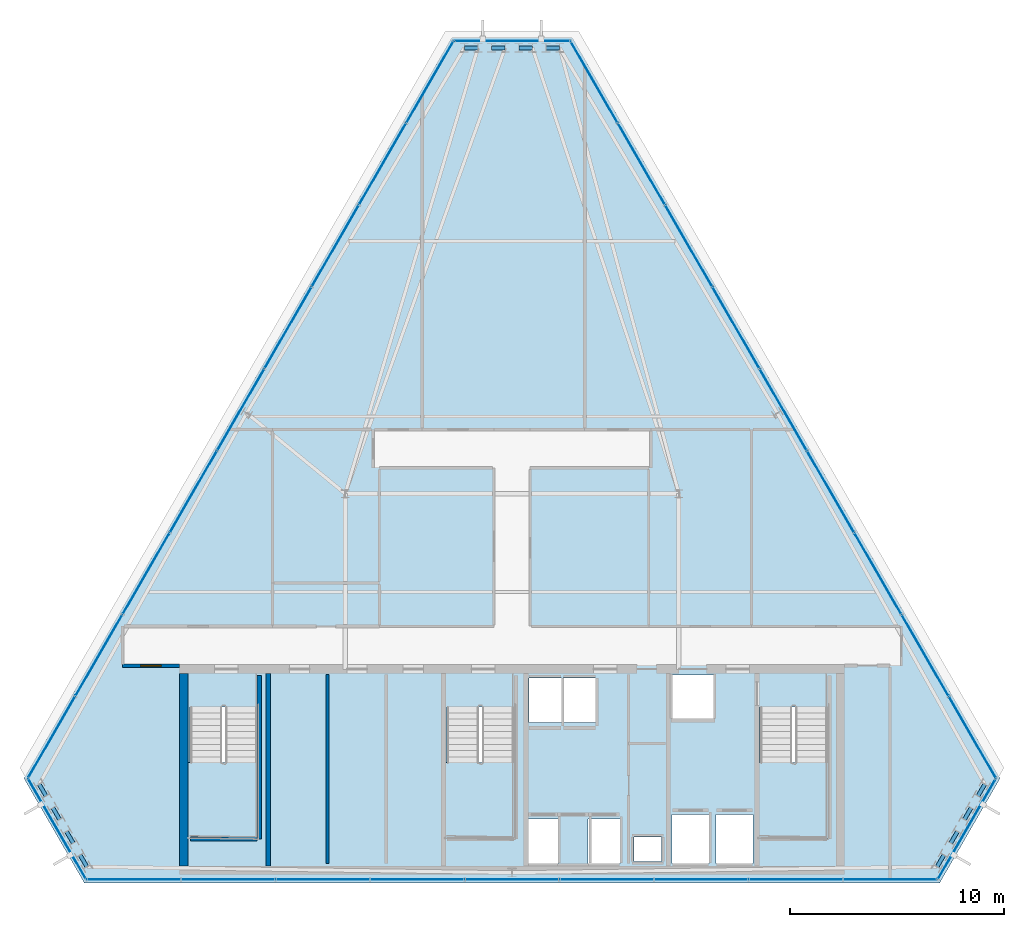
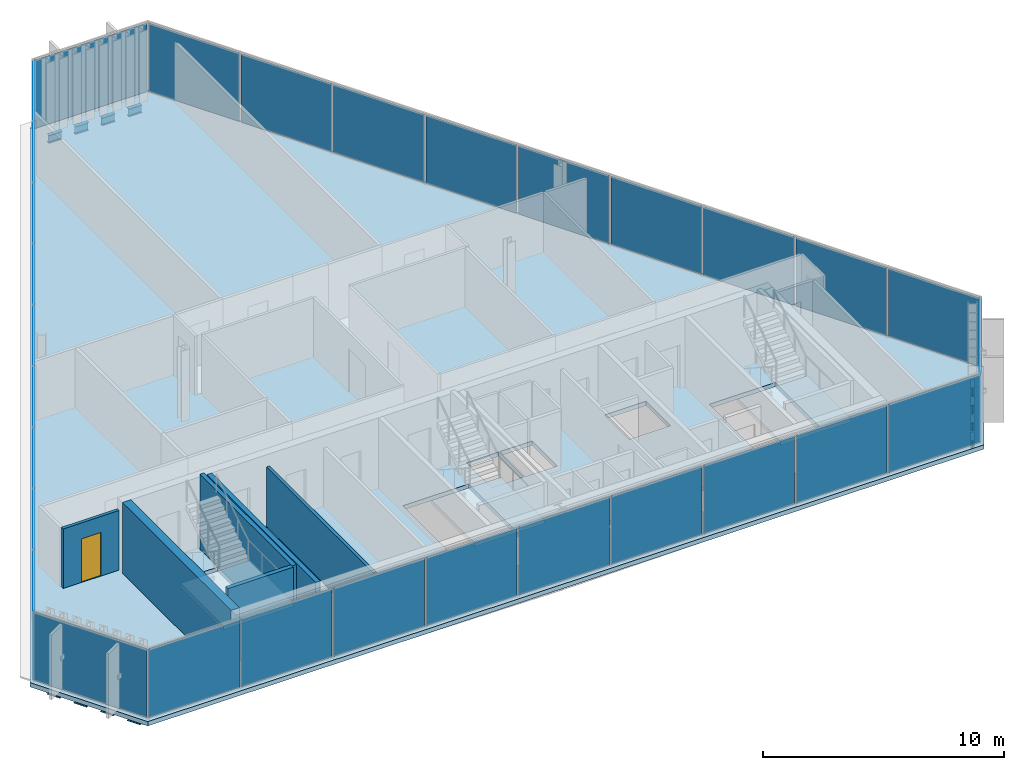
# One storey, part 28 of 34: 30 plates, 12 beams, 6 walls, 4 slabs, 1 door, 1 opening, 9 elements without a shape of their own.
"""IFC4 building model written with IfcOpenShell, lengths in metres."""

from ifc_helpers import new_model, si_unit, direction, frame, frame_2d, origin, origin_2d, place, context, subcontext, project, spatial, polyline, rectangle, i_section, outline, extrude, material, layer, layer_set, material_profile, profile_set, type_object, element, fill, aggregate, save


model = new_model("IFC4")

# Units and contexts
model_context = context("Model", 3, precision=1e-05, world=origin(), true_north=direction((0.0, 1.0)))
body_context = subcontext(model_context, "Body", "Model", "MODEL_VIEW")
ifc_project = project(units=[si_unit("LENGTHUNIT", "METRE"), si_unit("AREAUNIT", "SQUARE_METRE"), si_unit("VOLUMEUNIT", "CUBIC_METRE"), si_unit("PLANEANGLEUNIT", "RADIAN"), si_unit("MASSUNIT", "GRAM", prefix="KILO")], contexts=[model_context])

# Site, building, storey
site_placement = place(None, origin())
site = spatial("IfcSite", under=ifc_project, at=site_placement, CompositionType="ELEMENT")
building_placement = place(site_placement, origin())
building = spatial("IfcBuilding", under=site, at=building_placement, Name="Ndaravel Arena Tower", CompositionType="ELEMENT")
storey_placement = place(building_placement, frame((0.0, 0.0, 263.60009765625)))
storey = spatial("IfcBuildingStorey", under=building, at=storey_placement, Name="L64", CompositionType="ELEMENT", Elevation=263.60009765625)

# Beams
ifc_material_1 = material(Name="Steel S355", Category="steel")
ifc_material_profile = material_profile(ifc_material_1, i_section(OverallWidth=0.179931640625, OverallDepth=0.39990234375, WebThickness=0.008544921875, FlangeThickness=0.013427734375, FilletRadius=0.02099609375, at=origin_2d()), Name="IPE 400")
ifc_profile_set = profile_set([ifc_material_profile], Name="Steel S355")
beam_type = type_object("IfcBeamType", Name="BM-SPAN-IPE400", PredefinedType="SPANDREL", material=ifc_profile_set)
for number, where, z_axis, x_axis, name in (
    (1, (61.87548828125, 5.755615234375, -0.420166015625), (0.499977104415, 0.866038622153, 0.0), (-0.866038622153, 0.499977104415, 0.0), "L64 Perimeter Spandrel Beam SP-02"),
    (2, (62.51171875, 6.85791015625, -0.420166015625), (0.499977104415, 0.866038622153, 0.0), (-0.866038622153, 0.499977104415, 0.0), "L64 Perimeter Spandrel Beam SP-04"),
    (3, (63.148193359375, 7.9599609375, -0.420166015625), (0.499977104415, 0.866038622153, 0.0), (-0.866038622153, 0.499977104415, 0.0), "L64 Perimeter Spandrel Beam SP-06"),
):
    element("IfcBeam", number, at=place(storey_placement, frame(where, z_axis=z_axis, x_axis=x_axis)), inside=storey, type_object=beam_type, Name=name, PredefinedType="SPANDREL", context=body_context, shape_type="SweptSolid", body=[
        extrude(i_section(OverallWidth=0.179931640625, OverallDepth=0.39990234375, WebThickness=0.008544921875, FlangeThickness=0.013427734375, FilletRadius=0.02099609375, at=origin_2d()), origin(), (0.0, 0.0, 1.0), 0.63623046875),
    ])
for number, where, z_axis, x_axis, name in (
    (4, (63.784423828125, 9.06201171875, -0.420166015625), (0.499811003198, 0.866134493646, 0.0), (-0.866134493646, 0.499811003198, 0.0), "L64 Perimeter Spandrel Beam SP-08"),
    (5, (44.227294921875, 44.038330078125, -0.420166015625), (-1.0, 0.0, 0.0), (0.0, -1.0, 0.0), "L64 Perimeter Spandrel Beam SP-11"),
    (6, (42.95458984375, 44.038330078125, -0.420166015625), (-1.0, 0.0, 0.0), (0.0, -1.0, 0.0), "L64 Perimeter Spandrel Beam SP-13"),
    (7, (41.681884765625, 44.038330078125, -0.420166015625), (-1.0, 0.0, 0.0), (0.0, -1.0, 0.0), "L64 Perimeter Spandrel Beam SP-15"),
    (8, (40.4091796875, 44.038330078125, -0.420166015625), (-1.0, 0.0, 0.0), (0.0, -1.0, 0.0), "L64 Perimeter Spandrel Beam SP-17"),
    (9, (19.8974609375, 9.61328125, -0.420166015625), (0.499811003198, -0.866134493646, 0.0), (0.866134493646, 0.499811003198, 0.0), "L64 Perimeter Spandrel Beam SP-20"),
):
    element("IfcBeam", number, at=place(storey_placement, frame(where, z_axis=z_axis, x_axis=x_axis)), inside=storey, type_object=beam_type, Name=name, PredefinedType="SPANDREL", context=body_context, shape_type="SweptSolid", body=[
        extrude(i_section(OverallWidth=0.179931640625, OverallDepth=0.39990234375, WebThickness=0.008544921875, FlangeThickness=0.013427734375, FilletRadius=0.02099609375, at=origin_2d()), origin(), (0.0, 0.0, 1.0), 0.636474609375),
    ])
for number, where, z_axis, x_axis, name in (
    (10, (20.53369140625, 8.510986328125, -0.420166015625), (0.499977104415, -0.866038622153, 0.0), (0.866038622153, 0.499977104415, 0.0), "L64 Perimeter Spandrel Beam SP-22"),
    (11, (21.170166015625, 7.408935546875, -0.420166015625), (0.499977104415, -0.866038622153, 0.0), (0.866038622153, 0.499977104415, 0.0), "L64 Perimeter Spandrel Beam SP-24"),
    (12, (21.806396484375, 6.306640625, -0.420166015625), (0.499977104415, -0.866038622153, 0.0), (0.866038622153, 0.499977104415, 0.0), "L64 Perimeter Spandrel Beam SP-26"),
):
    element("IfcBeam", number, at=place(storey_placement, frame(where, z_axis=z_axis, x_axis=x_axis)), inside=storey, type_object=beam_type, Name=name, PredefinedType="SPANDREL", context=body_context, shape_type="SweptSolid", body=[
        extrude(i_section(OverallWidth=0.179931640625, OverallDepth=0.39990234375, WebThickness=0.008544921875, FlangeThickness=0.013427734375, FilletRadius=0.02099609375, at=origin_2d()), origin(), (0.0, 0.0, 1.0), 0.63623046875),
    ])

# Curtain wall, plate
ifc_material_2 = material(Name="Aluminium", Category="aluminium")
ifc_layer_1 = layer(ifc_material_2, 0.179931640625)
ifc_layer_set_1 = layer_set([ifc_layer_1], Name="Aluminium")
curtain_wall_type_1 = type_object("IfcCurtainWallType", Name="CW-SYS-01", PredefinedType="NOTDEFINED", material=ifc_layer_set_1)
curtain_wall_1_placement = place(storey_placement, origin())
curtain_wall_1 = element("IfcCurtainWall", 13, at=curtain_wall_1_placement, inside=storey, type_object=curtain_wall_type_1, Name="L64 Faceted Crystal Curtain Wall CW-L64-E02", PredefinedType="NOTDEFINED")
ifc_material_3 = material(Name="Glazing", Category="glass")
ifc_layer_2 = layer(ifc_material_3, 0.031982421875)
ifc_layer_set_2 = layer_set([ifc_layer_2], Name="Glazing")
plate_type_1 = type_object("IfcPlateType", Name="PLT-GLZ-FRIT35", PredefinedType="CURTAIN_PANEL", material=ifc_layer_set_2)
plate_1_placement = place(storey_placement, frame((63.26611328125, 7.5244140625, 0.059814453125), z_axis=(0.0, 0.0, 1.0), x_axis=(0.5, 0.866025403784, 0.0)))
plate_1 = element("IfcPlate", 14, at=plate_1_placement, type_object=plate_type_1, Name="CW-L64-E02 Vision Glass Panel 01", PredefinedType="CURTAIN_PANEL", context=body_context, shape_type="SweptSolid", body=[
    extrude(rectangle(XDim=5.38037109375, YDim=0.035888671875, at=origin_2d()), origin(), (0.0, 0.0, 1.0), 3.4599609375),
])
aggregate(curtain_wall_1, [plate_1])

curtain_wall_2_placement = place(storey_placement, origin())
curtain_wall_2 = element("IfcCurtainWall", 15, at=curtain_wall_2_placement, inside=storey, type_object=curtain_wall_type_1, Name="L64 Faceted Crystal Curtain Wall CW-L64-E04", PredefinedType="NOTDEFINED")
plate_2_placement = place(storey_placement, frame((42.0, 44.3583984375, 0.059814453125), z_axis=(0.0, 0.0, 1.0), x_axis=(-1.0, 0.0, 0.0)))
plate_2 = element("IfcPlate", 16, at=plate_2_placement, type_object=plate_type_1, Name="CW-L64-E04 Vision Glass Panel 01", PredefinedType="CURTAIN_PANEL", context=body_context, shape_type="SweptSolid", body=[
    extrude(rectangle(XDim=5.38037109375, YDim=0.035888671875, at=origin_2d()), origin(), (0.0, 0.0, 1.0), 3.4599609375),
])
aggregate(curtain_wall_2, [plate_2])

ifc_material_4 = material(Name="Aluminium", Category="aluminium")
ifc_layer_3 = layer(ifc_material_4, 0.179931640625)
ifc_layer_set_3 = layer_set([ifc_layer_3], Name="Aluminium")
curtain_wall_type_2 = type_object("IfcCurtainWallType", Name="CW-SYS-02", PredefinedType="NOTDEFINED", material=ifc_layer_set_3)
curtain_wall_3_placement = place(storey_placement, origin())
curtain_wall_3 = element("IfcCurtainWall", 17, at=curtain_wall_3_placement, inside=storey, type_object=curtain_wall_type_2, Name="L64 Faceted Crystal Curtain Wall CW-L64-E06", PredefinedType="NOTDEFINED")
ifc_material_5 = material(Name="Glazing", Category="glass")
ifc_layer_4 = layer(ifc_material_5, 0.035888671875)
ifc_layer_set_4 = layer_set([ifc_layer_4], Name="Glazing")
plate_type_2 = type_object("IfcPlateType", Name="PLT-GLZ-FRIT55", PredefinedType="CURTAIN_PANEL", material=ifc_layer_set_4)
plate_3_placement = place(storey_placement, frame((20.73388671875, 7.5244140625, 0.059814453125), z_axis=(0.0, 0.0, 1.0), x_axis=(0.5, -0.866025403784, 0.0)))
plate_3 = element("IfcPlate", 18, at=plate_3_placement, type_object=plate_type_2, Name="CW-L64-E06 Vision Glass Panel 01", PredefinedType="CURTAIN_PANEL", context=body_context, shape_type="SweptSolid", body=[
    extrude(rectangle(XDim=5.38037109375, YDim=0.035888671875, at=origin_2d()), origin(), (0.0, 0.0, 1.0), 3.4599609375),
])
aggregate(curtain_wall_3, [plate_3])

# Curtain wall, plates
ifc_material_6 = material(Name="Aluminium", Category="aluminium")
ifc_layer_5 = layer(ifc_material_6, 0.179931640625)
ifc_layer_set_5 = layer_set([ifc_layer_5], Name="Aluminium")
curtain_wall_type_3 = type_object("IfcCurtainWallType", Name="CW-SYS-03", PredefinedType="NOTDEFINED", material=ifc_layer_set_5)
curtain_wall_4_placement = place(storey_placement, origin())
curtain_wall_4 = element("IfcCurtainWall", 19, at=curtain_wall_4_placement, inside=storey, type_object=curtain_wall_type_3, Name="L64 Faceted Crystal Curtain Wall CW-L64-E01", PredefinedType="NOTDEFINED")
ifc_material_7 = material(Name="Glazing", Category="glass")
ifc_layer_6 = layer(ifc_material_7, 0.0400390625)
ifc_layer_set_6 = layer_set([ifc_layer_6], Name="Glazing")
plate_type_3 = type_object("IfcPlateType", Name="PLT-GLZ-LOWIRON", PredefinedType="CURTAIN_PANEL", material=ifc_layer_set_6)
plate_4_placement = place(storey_placement, frame((24.310302734375, 5.159912109375, 0.059814453125), z_axis=(0.0, 0.0, 1.0), x_axis=(1.0, 0.0, 0.0)))
plate_4 = element("IfcPlate", 20, at=plate_4_placement, type_object=plate_type_3, Name="CW-L64-E01 Vision Glass Panel 01", PredefinedType="CURTAIN_PANEL", context=body_context, shape_type="SweptSolid", body=[
    extrude(rectangle(XDim=4.34228515625, YDim=0.035888671875, at=origin_2d()), origin(), (0.0, 0.0, 1.0), 3.4599609375),
])
plate_5_placement = place(storey_placement, frame((28.732666015625, 5.159912109375, 0.059814453125), z_axis=(0.0, 0.0, 1.0), x_axis=(1.0, 0.0, 0.0)))
plate_5 = element("IfcPlate", 21, at=plate_5_placement, type_object=plate_type_3, Name="CW-L64-E01 Vision Glass Panel 02", PredefinedType="CURTAIN_PANEL", context=body_context, shape_type="SweptSolid", body=[
    extrude(rectangle(XDim=4.34228515625, YDim=0.035888671875, at=origin_2d()), origin(), (0.0, 0.0, 1.0), 3.4599609375),
])
plate_6_placement = place(storey_placement, frame((33.155029296875, 5.159912109375, 0.059814453125), z_axis=(0.0, 0.0, 1.0), x_axis=(1.0, 0.0, 0.0)))
plate_6 = element("IfcPlate", 22, at=plate_6_placement, type_object=plate_type_3, Name="CW-L64-E01 Vision Glass Panel 03", PredefinedType="CURTAIN_PANEL", context=body_context, shape_type="SweptSolid", body=[
    extrude(rectangle(XDim=4.34228515625, YDim=0.035888671875, at=origin_2d()), origin(), (0.0, 0.0, 1.0), 3.4599609375),
])
plate_7_placement = place(storey_placement, frame((37.57763671875, 5.159912109375, 0.059814453125), z_axis=(0.0, 0.0, 1.0), x_axis=(1.0, 0.0, 0.0)))
plate_7 = element("IfcPlate", 23, at=plate_7_placement, type_object=plate_type_3, Name="CW-L64-E01 Vision Glass Panel 04", PredefinedType="CURTAIN_PANEL", context=body_context, shape_type="SweptSolid", body=[
    extrude(rectangle(XDim=4.34228515625, YDim=0.035888671875, at=origin_2d()), origin(), (0.0, 0.0, 1.0), 3.4599609375),
])
plate_8_placement = place(storey_placement, frame((42.0, 5.159912109375, 0.059814453125), z_axis=(0.0, 0.0, 1.0), x_axis=(1.0, 0.0, 0.0)))
plate_8 = element("IfcPlate", 24, at=plate_8_placement, type_object=plate_type_3, Name="CW-L64-E01 Vision Glass Panel 05", PredefinedType="CURTAIN_PANEL", context=body_context, shape_type="SweptSolid", body=[
    extrude(rectangle(XDim=4.34228515625, YDim=0.035888671875, at=origin_2d()), origin(), (0.0, 0.0, 1.0), 3.4599609375),
])
plate_9_placement = place(storey_placement, frame((46.42236328125, 5.159912109375, 0.059814453125), z_axis=(0.0, 0.0, 1.0), x_axis=(1.0, 0.0, 0.0)))
plate_9 = element("IfcPlate", 25, at=plate_9_placement, type_object=plate_type_3, Name="CW-L64-E01 Vision Glass Panel 06", PredefinedType="CURTAIN_PANEL", context=body_context, shape_type="SweptSolid", body=[
    extrude(rectangle(XDim=4.34228515625, YDim=0.035888671875, at=origin_2d()), origin(), (0.0, 0.0, 1.0), 3.4599609375),
])
plate_10_placement = place(storey_placement, frame((50.844970703125, 5.159912109375, 0.059814453125), z_axis=(0.0, 0.0, 1.0), x_axis=(1.0, 0.0, 0.0)))
plate_10 = element("IfcPlate", 26, at=plate_10_placement, type_object=plate_type_3, Name="CW-L64-E01 Vision Glass Panel 07", PredefinedType="CURTAIN_PANEL", context=body_context, shape_type="SweptSolid", body=[
    extrude(rectangle(XDim=4.34228515625, YDim=0.035888671875, at=origin_2d()), origin(), (0.0, 0.0, 1.0), 3.4599609375),
])
plate_11_placement = place(storey_placement, frame((55.267333984375, 5.159912109375, 0.059814453125), z_axis=(0.0, 0.0, 1.0), x_axis=(1.0, 0.0, 0.0)))
plate_11 = element("IfcPlate", 27, at=plate_11_placement, type_object=plate_type_3, Name="CW-L64-E01 Vision Glass Panel 08", PredefinedType="CURTAIN_PANEL", context=body_context, shape_type="SweptSolid", body=[
    extrude(rectangle(XDim=4.34228515625, YDim=0.035888671875, at=origin_2d()), origin(), (0.0, 0.0, 1.0), 3.4599609375),
])
plate_12_placement = place(storey_placement, frame((59.689697265625, 5.159912109375, 0.059814453125), z_axis=(0.0, 0.0, 1.0), x_axis=(1.0, 0.0, 0.0)))
plate_12 = element("IfcPlate", 28, at=plate_12_placement, type_object=plate_type_3, Name="CW-L64-E01 Vision Glass Panel 09", PredefinedType="CURTAIN_PANEL", context=body_context, shape_type="SweptSolid", body=[
    extrude(rectangle(XDim=4.34228515625, YDim=0.035888671875, at=origin_2d()), origin(), (0.0, 0.0, 1.0), 3.4599609375),
])
aggregate(curtain_wall_4, [plate_4, plate_5, plate_6, plate_7, plate_8, plate_9, plate_10, plate_11, plate_12])

curtain_wall_5_placement = place(storey_placement, origin())
curtain_wall_5 = element("IfcCurtainWall", 29, at=curtain_wall_5_placement, inside=storey, type_object=curtain_wall_type_3, Name="L64 Faceted Crystal Curtain Wall CW-L64-E03", PredefinedType="NOTDEFINED")
plate_13_placement = place(storey_placement, frame((63.525634765625, 11.8037109375, 0.059814453125), z_axis=(0.0, 0.0, 1.0), x_axis=(-0.5, 0.866025403784, 0.0)))
plate_13 = element("IfcPlate", 30, at=plate_13_placement, type_object=plate_type_3, Name="CW-L64-E03 Vision Glass Panel 01", PredefinedType="CURTAIN_PANEL", context=body_context, shape_type="SweptSolid", body=[
    extrude(rectangle(XDim=4.34228515625, YDim=0.035888671875, at=origin_2d()), origin(), (0.0, 0.0, 1.0), 3.4599609375),
])
plate_14_placement = place(storey_placement, frame((61.314453125, 15.6337890625, 0.059814453125), z_axis=(0.0, 0.0, 1.0), x_axis=(-0.5, 0.866025403784, 0.0)))
plate_14 = element("IfcPlate", 31, at=plate_14_placement, type_object=plate_type_3, Name="CW-L64-E03 Vision Glass Panel 02", PredefinedType="CURTAIN_PANEL", context=body_context, shape_type="SweptSolid", body=[
    extrude(rectangle(XDim=4.34228515625, YDim=0.035888671875, at=origin_2d()), origin(), (0.0, 0.0, 1.0), 3.4599609375),
])
plate_15_placement = place(storey_placement, frame((59.10302734375, 19.463623046875, 0.059814453125), z_axis=(0.0, 0.0, 1.0), x_axis=(-0.5, 0.866025403784, 0.0)))
plate_15 = element("IfcPlate", 32, at=plate_15_placement, type_object=plate_type_3, Name="CW-L64-E03 Vision Glass Panel 03", PredefinedType="CURTAIN_PANEL", context=body_context, shape_type="SweptSolid", body=[
    extrude(rectangle(XDim=4.34228515625, YDim=0.035888671875, at=origin_2d()), origin(), (0.0, 0.0, 1.0), 3.4599609375),
])
plate_16_placement = place(storey_placement, frame((56.891845703125, 23.293701171875, 0.059814453125), z_axis=(0.0, 0.0, 1.0), x_axis=(-0.5, 0.866025403784, 0.0)))
plate_16 = element("IfcPlate", 33, at=plate_16_placement, type_object=plate_type_3, Name="CW-L64-E03 Vision Glass Panel 04", PredefinedType="CURTAIN_PANEL", context=body_context, shape_type="SweptSolid", body=[
    extrude(rectangle(XDim=4.34228515625, YDim=0.035888671875, at=origin_2d()), origin(), (0.0, 0.0, 1.0), 3.4599609375),
])
plate_17_placement = place(storey_placement, frame((54.6806640625, 27.12353515625, 0.059814453125), z_axis=(0.0, 0.0, 1.0), x_axis=(-0.5, 0.866025403784, 0.0)))
plate_17 = element("IfcPlate", 34, at=plate_17_placement, type_object=plate_type_3, Name="CW-L64-E03 Vision Glass Panel 05", PredefinedType="CURTAIN_PANEL", context=body_context, shape_type="SweptSolid", body=[
    extrude(rectangle(XDim=4.34228515625, YDim=0.035888671875, at=origin_2d()), origin(), (0.0, 0.0, 1.0), 3.4599609375),
])
plate_18_placement = place(storey_placement, frame((52.469482421875, 30.95361328125, 0.059814453125), z_axis=(0.0, 0.0, 1.0), x_axis=(-0.5, 0.866025403784, 0.0)))
plate_18 = element("IfcPlate", 35, at=plate_18_placement, type_object=plate_type_3, Name="CW-L64-E03 Vision Glass Panel 06", PredefinedType="CURTAIN_PANEL", context=body_context, shape_type="SweptSolid", body=[
    extrude(rectangle(XDim=4.34228515625, YDim=0.035888671875, at=origin_2d()), origin(), (0.0, 0.0, 1.0), 3.4599609375),
])
plate_19_placement = place(storey_placement, frame((50.25830078125, 34.783447265625, 0.059814453125), z_axis=(0.0, 0.0, 1.0), x_axis=(-0.5, 0.866025403784, 0.0)))
plate_19 = element("IfcPlate", 36, at=plate_19_placement, type_object=plate_type_3, Name="CW-L64-E03 Vision Glass Panel 07", PredefinedType="CURTAIN_PANEL", context=body_context, shape_type="SweptSolid", body=[
    extrude(rectangle(XDim=4.34228515625, YDim=0.035888671875, at=origin_2d()), origin(), (0.0, 0.0, 1.0), 3.4599609375),
])
plate_20_placement = place(storey_placement, frame((48.047119140625, 38.613525390625, 0.059814453125), z_axis=(0.0, 0.0, 1.0), x_axis=(-0.5, 0.866025403784, 0.0)))
plate_20 = element("IfcPlate", 37, at=plate_20_placement, type_object=plate_type_3, Name="CW-L64-E03 Vision Glass Panel 08", PredefinedType="CURTAIN_PANEL", context=body_context, shape_type="SweptSolid", body=[
    extrude(rectangle(XDim=4.34228515625, YDim=0.035888671875, at=origin_2d()), origin(), (0.0, 0.0, 1.0), 3.4599609375),
])
plate_21_placement = place(storey_placement, frame((45.835693359375, 42.443359375, 0.059814453125), z_axis=(0.0, 0.0, 1.0), x_axis=(-0.5, 0.866025403784, 0.0)))
plate_21 = element("IfcPlate", 38, at=plate_21_placement, type_object=plate_type_3, Name="CW-L64-E03 Vision Glass Panel 09", PredefinedType="CURTAIN_PANEL", context=body_context, shape_type="SweptSolid", body=[
    extrude(rectangle(XDim=4.34228515625, YDim=0.035888671875, at=origin_2d()), origin(), (0.0, 0.0, 1.0), 3.4599609375),
])
aggregate(curtain_wall_5, [plate_13, plate_14, plate_15, plate_16, plate_17, plate_18, plate_19, plate_20, plate_21])

curtain_wall_6_placement = place(storey_placement, origin())
curtain_wall_6 = element("IfcCurtainWall", 39, at=curtain_wall_6_placement, inside=storey, type_object=curtain_wall_type_3, Name="L64 Faceted Crystal Curtain Wall CW-L64-E05", PredefinedType="NOTDEFINED")
plate_22_placement = place(storey_placement, frame((38.164306640625, 42.443359375, 0.059814453125), z_axis=(0.0, 0.0, 1.0), x_axis=(-0.5, -0.866025403784, 0.0)))
plate_22 = element("IfcPlate", 40, at=plate_22_placement, type_object=plate_type_3, Name="CW-L64-E05 Vision Glass Panel 01", PredefinedType="CURTAIN_PANEL", context=body_context, shape_type="SweptSolid", body=[
    extrude(rectangle(XDim=4.34228515625, YDim=0.035888671875, at=origin_2d()), origin(), (0.0, 0.0, 1.0), 3.4599609375),
])
plate_23_placement = place(storey_placement, frame((35.952880859375, 38.613525390625, 0.059814453125), z_axis=(0.0, 0.0, 1.0), x_axis=(-0.5, -0.866025403784, 0.0)))
plate_23 = element("IfcPlate", 41, at=plate_23_placement, type_object=plate_type_3, Name="CW-L64-E05 Vision Glass Panel 02", PredefinedType="CURTAIN_PANEL", context=body_context, shape_type="SweptSolid", body=[
    extrude(rectangle(XDim=4.34228515625, YDim=0.035888671875, at=origin_2d()), origin(), (0.0, 0.0, 1.0), 3.4599609375),
])
plate_24_placement = place(storey_placement, frame((33.74169921875, 34.783447265625, 0.059814453125), z_axis=(0.0, 0.0, 1.0), x_axis=(-0.5, -0.866025403784, 0.0)))
plate_24 = element("IfcPlate", 42, at=plate_24_placement, type_object=plate_type_3, Name="CW-L64-E05 Vision Glass Panel 03", PredefinedType="CURTAIN_PANEL", context=body_context, shape_type="SweptSolid", body=[
    extrude(rectangle(XDim=4.34228515625, YDim=0.035888671875, at=origin_2d()), origin(), (0.0, 0.0, 1.0), 3.4599609375),
])
plate_25_placement = place(storey_placement, frame((31.530517578125, 30.95361328125, 0.059814453125), z_axis=(0.0, 0.0, 1.0), x_axis=(-0.5, -0.866025403784, 0.0)))
plate_25 = element("IfcPlate", 43, at=plate_25_placement, type_object=plate_type_3, Name="CW-L64-E05 Vision Glass Panel 04", PredefinedType="CURTAIN_PANEL", context=body_context, shape_type="SweptSolid", body=[
    extrude(rectangle(XDim=4.34228515625, YDim=0.035888671875, at=origin_2d()), origin(), (0.0, 0.0, 1.0), 3.4599609375),
])
plate_26_placement = place(storey_placement, frame((29.3193359375, 27.12353515625, 0.059814453125), z_axis=(0.0, 0.0, 1.0), x_axis=(-0.5, -0.866025403784, 0.0)))
plate_26 = element("IfcPlate", 44, at=plate_26_placement, type_object=plate_type_3, Name="CW-L64-E05 Vision Glass Panel 05", PredefinedType="CURTAIN_PANEL", context=body_context, shape_type="SweptSolid", body=[
    extrude(rectangle(XDim=4.34228515625, YDim=0.035888671875, at=origin_2d()), origin(), (0.0, 0.0, 1.0), 3.4599609375),
])
plate_27_placement = place(storey_placement, frame((27.108154296875, 23.293701171875, 0.059814453125), z_axis=(0.0, 0.0, 1.0), x_axis=(-0.5, -0.866025403784, 0.0)))
plate_27 = element("IfcPlate", 45, at=plate_27_placement, type_object=plate_type_3, Name="CW-L64-E05 Vision Glass Panel 06", PredefinedType="CURTAIN_PANEL", context=body_context, shape_type="SweptSolid", body=[
    extrude(rectangle(XDim=4.34228515625, YDim=0.035888671875, at=origin_2d()), origin(), (0.0, 0.0, 1.0), 3.4599609375),
])
plate_28_placement = place(storey_placement, frame((24.89697265625, 19.463623046875, 0.059814453125), z_axis=(0.0, 0.0, 1.0), x_axis=(-0.5, -0.866025403784, 0.0)))
plate_28 = element("IfcPlate", 46, at=plate_28_placement, type_object=plate_type_3, Name="CW-L64-E05 Vision Glass Panel 07", PredefinedType="CURTAIN_PANEL", context=body_context, shape_type="SweptSolid", body=[
    extrude(rectangle(XDim=4.34228515625, YDim=0.035888671875, at=origin_2d()), origin(), (0.0, 0.0, 1.0), 3.4599609375),
])
plate_29_placement = place(storey_placement, frame((22.685546875, 15.6337890625, 0.059814453125), z_axis=(0.0, 0.0, 1.0), x_axis=(-0.5, -0.866025403784, 0.0)))
plate_29 = element("IfcPlate", 47, at=plate_29_placement, type_object=plate_type_3, Name="CW-L64-E05 Vision Glass Panel 08", PredefinedType="CURTAIN_PANEL", context=body_context, shape_type="SweptSolid", body=[
    extrude(rectangle(XDim=4.34228515625, YDim=0.035888671875, at=origin_2d()), origin(), (0.0, 0.0, 1.0), 3.4599609375),
])
plate_30_placement = place(storey_placement, frame((20.474365234375, 11.8037109375, 0.059814453125), z_axis=(0.0, 0.0, 1.0), x_axis=(-0.5, -0.866025403784, 0.0)))
plate_30 = element("IfcPlate", 48, at=plate_30_placement, type_object=plate_type_3, Name="CW-L64-E05 Vision Glass Panel 09", PredefinedType="CURTAIN_PANEL", context=body_context, shape_type="SweptSolid", body=[
    extrude(rectangle(XDim=4.34228515625, YDim=0.035888671875, at=origin_2d()), origin(), (0.0, 0.0, 1.0), 3.4599609375),
])
aggregate(curtain_wall_6, [plate_22, plate_23, plate_24, plate_25, plate_26, plate_27, plate_28, plate_29, plate_30])

# Stair, slab
ifc_material_8 = material(Name="Concrete C40/50", Category="concrete")
stair_type = type_object("IfcStairType", Name="STAIR-CORE-HT", PredefinedType="HALF_TURN_STAIR", material=ifc_material_8)
stair_1_placement = place(storey_placement, origin())
stair_1 = element("IfcStair", 49, at=stair_1_placement, inside=storey, type_object=stair_type, Name="L64 ST-1", PredefinedType="HALF_TURN_STAIR")
ifc_material_9 = material(Name="Concrete C40/50", Category="concrete")
ifc_layer_7 = layer(ifc_material_9, 0.199951171875)
ifc_layer_set_7 = layer_set([ifc_layer_7], Name="Concrete C40/50")
slab_type_1 = type_object("IfcSlabType", Name="SLAB-STAIR-LANDING", PredefinedType="LANDING", material=ifc_layer_set_7)
slab_1_placement = place(storey_placement, frame((0.0, 0.0, 1.699951171875)))
slab_1 = element("IfcSlab", 50, at=slab_1_placement, type_object=slab_type_1, Name="ST-1 landing 1", PredefinedType="LANDING", context=body_context, shape_type="SweptSolid", body=[
    extrude(outline(polyline([(26.81005859375, 10.6298828125), (26.81005859375, 7.070068359375), (30.169921875, 7.070068359375), (30.169921875, 10.6298828125), (26.81005859375, 10.6298828125)])), origin(), (0.0, 0.0, 1.0), 0.199951171875),
])
aggregate(stair_1, [slab_1])

stair_2_placement = place(storey_placement, origin())
stair_2 = element("IfcStair", 51, at=stair_2_placement, inside=storey, type_object=stair_type, Name="L64 ST-2", PredefinedType="HALF_TURN_STAIR")
slab_2_placement = place(storey_placement, frame((0.0, 0.0, 1.699951171875)))
slab_2 = element("IfcSlab", 52, at=slab_2_placement, type_object=slab_type_1, Name="ST-2 landing 1", PredefinedType="LANDING", context=body_context, shape_type="SweptSolid", body=[
    extrude(outline(polyline([(38.81005859375, 10.6298828125), (38.81005859375, 7.070068359375), (42.169921875, 7.070068359375), (42.169921875, 10.6298828125), (38.81005859375, 10.6298828125)])), origin(), (0.0, 0.0, 1.0), 0.199951171875),
])
aggregate(stair_2, [slab_2])

stair_3_placement = place(storey_placement, origin())
stair_3 = element("IfcStair", 53, at=stair_3_placement, inside=storey, type_object=stair_type, Name="L64 ST-3", PredefinedType="HALF_TURN_STAIR")
slab_3_placement = place(storey_placement, frame((0.0, 0.0, 1.699951171875)))
slab_3 = element("IfcSlab", 54, at=slab_3_placement, type_object=slab_type_1, Name="ST-3 landing 1", PredefinedType="LANDING", context=body_context, shape_type="SweptSolid", body=[
    extrude(outline(polyline([(53.4599609375, 10.6298828125), (53.4599609375, 7.070068359375), (56.820068359375, 7.070068359375), (56.820068359375, 10.6298828125), (53.4599609375, 10.6298828125)])), origin(), (0.0, 0.0, 1.0), 0.199951171875),
])
aggregate(stair_3, [slab_3])

# Slab
ifc_material_10 = material(Name="Concrete C40/50", Category="concrete")
ifc_layer_8 = layer(ifc_material_10, 0.219970703125)
ifc_layer_set_8 = layer_set([ifc_layer_8], Name="Concrete C40/50")
slab_type_2 = type_object("IfcSlabType", Name="SLAB-TWR-220", PredefinedType="FLOOR", material=ifc_layer_set_8)
slab_4_placement = place(storey_placement, frame((0.0, 0.0, -0.22021484375)))
element("IfcSlab", 55, at=slab_4_placement, inside=storey, type_object=slab_type_2, Name="L64 Structural Floor Slab", PredefinedType="FLOOR", context=body_context, shape_type="SweptSolid", body=[
    extrude(outline(polyline([(19.18408203125, 9.888916015625), (22.006591796875, 5.0), (61.993408203125, 5.0), (64.81591796875, 9.888916015625), (44.822509765625, 44.518310546875), (39.177490234375, 44.518310546875), (19.18408203125, 9.888916015625)]), holes=[polyline([(26.949951171875, 13.215087890625), (26.949951171875, 7.14990234375), (30.090087890625, 7.14990234375), (30.090087890625, 13.215087890625), (26.949951171875, 13.215087890625)]), polyline([(38.949951171875, 13.215087890625), (38.949951171875, 7.14990234375), (42.090087890625, 7.14990234375), (42.090087890625, 13.215087890625), (38.949951171875, 13.215087890625)]), polyline([(53.60009765625, 13.215087890625), (53.60009765625, 7.14990234375), (56.739990234375, 7.14990234375), (56.739990234375, 13.215087890625), (53.60009765625, 13.215087890625)]), polyline([(42.659912109375, 5.909912109375), (44.139892578125, 5.909912109375), (44.139892578125, 7.989990234375), (42.659912109375, 7.989990234375), (42.659912109375, 5.909912109375)]), polyline([(45.56005859375, 5.909912109375), (47.0400390625, 5.909912109375), (47.0400390625, 7.989990234375), (45.56005859375, 7.989990234375), (45.56005859375, 5.909912109375)]), polyline([(42.784912109375, 12.510009765625), (44.31494140625, 12.510009765625), (44.31494140625, 14.590087890625), (42.784912109375, 14.590087890625), (42.784912109375, 12.510009765625)]), polyline([(44.385009765625, 12.510009765625), (45.9150390625, 12.510009765625), (45.9150390625, 14.590087890625), (44.385009765625, 14.590087890625), (44.385009765625, 12.510009765625)]), polyline([(49.485107421875, 5.909912109375), (51.215087890625, 5.909912109375), (51.215087890625, 8.18994140625), (49.485107421875, 8.18994140625), (49.485107421875, 5.909912109375)]), polyline([(51.534912109375, 5.909912109375), (53.264892578125, 5.909912109375), (53.264892578125, 8.18994140625), (51.534912109375, 8.18994140625), (51.534912109375, 5.909912109375)]), polyline([(49.4599609375, 12.68505859375), (51.43994140625, 12.68505859375), (51.43994140625, 14.715087890625), (49.4599609375, 14.715087890625), (49.4599609375, 12.68505859375)]), polyline([(47.699951171875, 6.0), (49.0, 6.0), (49.0, 7.139892578125), (47.699951171875, 7.139892578125), (47.699951171875, 6.0)])]), origin(), (0.0, 0.0, 1.0), 0.22021484375),
])

# Walls
ifc_material_11 = material(Name="Gypsum", Category="gypsum")
ifc_layer_9 = layer(ifc_material_11, 0.14990234375)
ifc_layer_set_9 = layer_set([ifc_layer_9], Name="Gypsum")
wall_type_1 = type_object("IfcWallType", Name="WALL-COMP-150", PredefinedType="PARTITIONING", material=ifc_layer_set_9)
wall_1_placement = place(storey_placement, frame((33.3798828125, 5.89990234375, 0.0), z_axis=(0.0, 0.0, 1.0), x_axis=(0.0, 1.0, 0.0)))
element("IfcWall", 56, at=wall_1_placement, inside=storey, type_object=wall_type_1, Name="L64 High-Zone Core Divider 1", PredefinedType="PARTITIONING", context=body_context, shape_type="SweptSolid", body=[
    extrude(rectangle(XDim=8.85009765625, YDim=0.14990234375, at=frame_2d((4.425048828125, 0.0))), origin(), (0.0, 0.0, 1.0), 3.010498046875),
])
ifc_material_12 = material(Name="Concrete C50/60", Category="concrete")
ifc_layer_10 = layer(ifc_material_12, 0.219970703125)
ifc_layer_set_10 = layer_set([ifc_layer_10], Name="Concrete C50/60")
wall_type_2 = type_object("IfcWallType", Name="WALL-CORE-220", PredefinedType="SOLIDWALL", material=ifc_layer_set_10)
wall_2_placement = place(storey_placement, frame((30.60009765625, 5.800048828125, 0.0), z_axis=(0.0, 0.0, 1.0), x_axis=(0.0, 1.0, 0.0)))
element("IfcWall", 57, at=wall_2_placement, inside=storey, type_object=wall_type_2, Name="L64 Core Web Shear Wall 1", PredefinedType="SOLIDWALL", context=body_context, shape_type="SweptSolid", body=[
    extrude(rectangle(XDim=9.0, YDim=0.219970703125, at=frame_2d((4.5, 0.0))), origin(), (0.0, 0.0, 1.0), 3.579833984375),
])
ifc_material_13 = material(Name="Concrete C50/60", Category="concrete")
ifc_layer_11 = layer(ifc_material_13, 0.39990234375)
ifc_layer_set_11 = layer_set([ifc_layer_11], Name="Concrete C50/60")
wall_type_3 = type_object("IfcWallType", Name="WALL-CORE-400", PredefinedType="SOLIDWALL", material=ifc_layer_set_11)
wall_3_placement = place(storey_placement, frame((26.64990234375, 5.800048828125, 0.0), z_axis=(0.0, 0.0, 1.0), x_axis=(0.0, 1.0, 0.0)))
element("IfcWall", 58, at=wall_3_placement, inside=storey, type_object=wall_type_3, Name="L64 Core West Shear Wall", PredefinedType="SOLIDWALL", context=body_context, shape_type="SweptSolid", body=[
    extrude(rectangle(XDim=9.0, YDim=0.39990234375, at=frame_2d((4.5, 0.0))), origin(), (0.0, 0.0, 1.0), 3.579833984375),
])
ifc_material_14 = material(Name="Concrete C40/50", Category="concrete")
ifc_layer_12 = layer(ifc_material_14, 0.199951171875)
ifc_layer_set_12 = layer_set([ifc_layer_12], Name="Concrete C40/50")
wall_type_4 = type_object("IfcWallType", Name="WALL-SHAFT-200", PredefinedType="SOLIDWALL", material=ifc_layer_set_12)
wall_4_placement = place(storey_placement, frame((30.18994140625, 14.699951171875, 0.0), z_axis=(0.0, 0.0, 1.0), x_axis=(0.0, -1.0, 0.0)))
element("IfcWall", 59, at=wall_4_placement, inside=storey, type_object=wall_type_4, Name="L64 ST-1 Structural Shaft Wall Right", PredefinedType="SOLIDWALL", context=body_context, shape_type="SweptSolid", body=[
    extrude(rectangle(XDim=7.64990234375, YDim=0.199951171875, at=frame_2d((3.824951171875, 0.0))), origin(), (0.0, 0.0, 1.0), 3.7998046875),
])
wall_5_placement = place(storey_placement, frame((26.969970703125, 7.050048828125, 0.0), z_axis=(0.0, 0.0, 1.0), x_axis=(1.0, 0.0, 0.0)))
element("IfcWall", 60, at=wall_5_placement, inside=storey, type_object=wall_type_4, Name="L64 ST-1 Structural Shaft Wall Far", PredefinedType="SOLIDWALL", context=body_context, shape_type="SweptSolid", body=[
    extrude(rectangle(XDim=3.114990234375, YDim=0.199951171875, at=frame_2d((1.5576171875, 0.0))), origin(), (0.0, 0.0, 1.0), 3.7998046875),
])

# Wall, opening, door
ifc_material_15 = material(Name="Masonry", Category="masonry")
ifc_layer_13 = layer(ifc_material_15, 0.14990234375)
ifc_layer_set_13 = layer_set([ifc_layer_13], Name="Masonry")
wall_type_5 = type_object("IfcWallType", Name="WALL-WET-150", PredefinedType="PARTITIONING", material=ifc_layer_set_13)
wall_6_placement = place(storey_placement, frame((26.449951171875, 15.14990234375, 0.0), z_axis=(0.0, 0.0, 1.0), x_axis=(-1.0, 0.0, 0.0)))
wall_6 = element("IfcWall", 61, at=wall_6_placement, inside=storey, type_object=wall_type_5, Name="L64 Interior Partition 003", PredefinedType="PARTITIONING", context=body_context, shape_type="SweptSolid", body=[
    extrude(rectangle(XDim=2.666015625, YDim=0.14990234375, at=frame_2d((1.3330078125, 0.0))), origin(), (0.0, 0.0, 1.0), 3.010498046875),
])
opening_placement = place(wall_6_placement, frame((0.85791015625, 0.0, 0.0)))
opening = element("IfcOpeningElement", 62, at=opening_placement, cuts=wall_6, Name="Opening FD-03", PredefinedType="OPENING", context=body_context, shape_type="SweptSolid", body=[
    extrude(rectangle(XDim=0.949951171875, YDim=2.199951171875, at=frame_2d((0.47509765625, 1.10009765625))), frame((0.0, 0.074951171875, 0.0), z_axis=(0.0, -1.0, 0.0), x_axis=(1.0, 0.0, 0.0)), (0.0, 0.0, 1.0), 0.14990234375),
])
ifc_material_16 = material(Name="Steel S355", Category="steel")
door_type = type_object("IfcDoorType", Name="DT-11-CORE-950", OperationType="SINGLE_SWING_LEFT", PredefinedType="DOOR", material=ifc_material_16)
door_placement = place(opening_placement, origin())
door = element("IfcDoor", 63, at=door_placement, inside=storey, type_object=door_type, Name="L64 Staff Espresso Kitchen Door", OperationType="SINGLE_SWING_RIGHT", OverallHeight=2.199951171875, OverallWidth=0.949951171875, PredefinedType="DOOR", context=body_context, shape_type="SweptSolid", body=[
    extrude(rectangle(XDim=0.949951171875, YDim=2.199951171875, at=frame_2d((0.47509765625, 1.10009765625))), frame((0.0, 0.02490234375, 0.0), z_axis=(0.0, -1.0, 0.0), x_axis=(1.0, 0.0, 0.0)), (0.0, 0.0, 1.0), 0.050048828125),
])
fill(opening, door)

save(model, "model.ifc")
